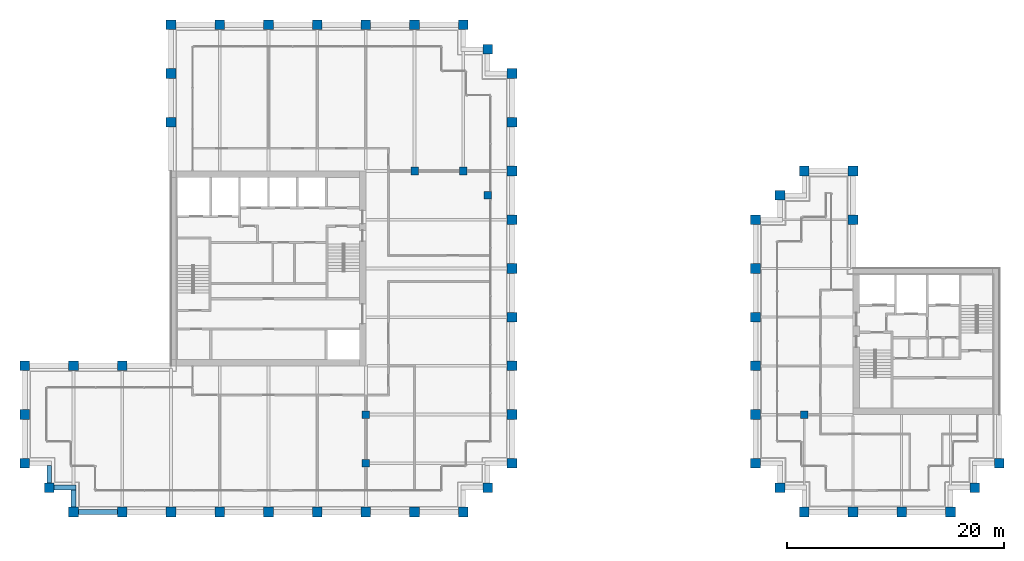
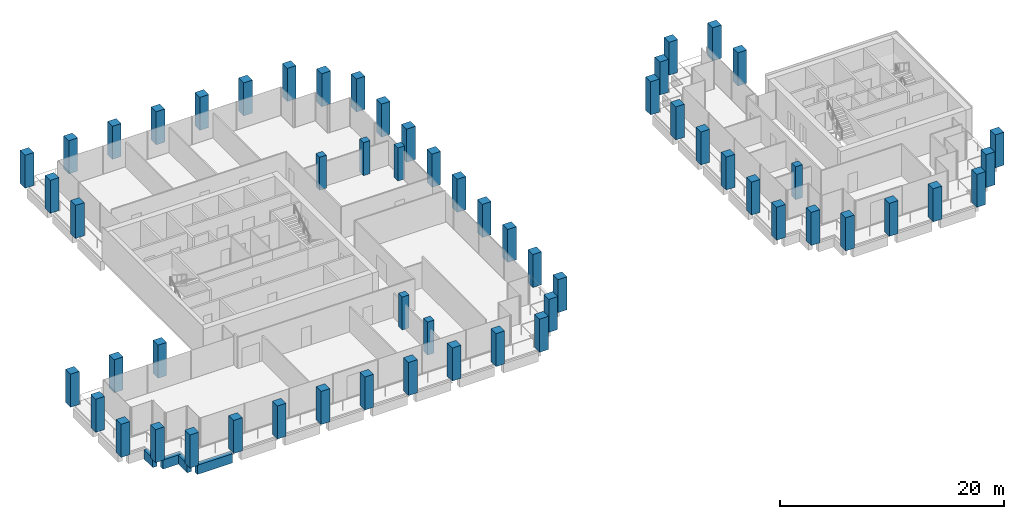
# One storey, part 1 of 40: 58 columns, 4 beams.
"""IFC4 building model written with IfcOpenShell, lengths in metres."""

from ifc_helpers import new_model, si_unit, direction, frame, origin, origin_2d, place, context, subcontext, project, spatial, rectangle, extrude, material, material_profile, profile_set, type_object, element, save


model = new_model("IFC4")

# Units and contexts
model_context = context("Model", 3, precision=1e-05, world=origin(), true_north=direction((0.0, 1.0)))
body_context = subcontext(model_context, "Body", "Model", "MODEL_VIEW")
ifc_project = project(units=[si_unit("LENGTHUNIT", "METRE"), si_unit("AREAUNIT", "SQUARE_METRE"), si_unit("VOLUMEUNIT", "CUBIC_METRE"), si_unit("PLANEANGLEUNIT", "RADIAN"), si_unit("MASSUNIT", "GRAM", prefix="KILO")], contexts=[model_context])

# Site, building, storey
site_placement = place(None, origin())
site = spatial("IfcSite", under=ifc_project, at=site_placement, CompositionType="ELEMENT")
building_placement = place(site_placement, origin())
building = spatial("IfcBuilding", under=site, at=building_placement, Name="Altepetl Exchange Towers", CompositionType="ELEMENT")
storey_placement = place(building_placement, frame((0.0, 0.0, 172.60009765625)))
storey = spatial("IfcBuildingStorey", under=building, at=storey_placement, Name="L43", CompositionType="ELEMENT", Elevation=172.60009765625)

# Columns
ifc_material_1 = material(Name="Concrete C70/85", Category="concrete")
ifc_material_profile_1 = material_profile(ifc_material_1, rectangle(XDim=0.699951171875, YDim=0.699951171875, at=origin_2d()), Name="700 x 700")
ifc_profile_set_1 = profile_set([ifc_material_profile_1], Name="Concrete C70/85")
column_type_1 = type_object("IfcColumnType", Name="Interior column 700", PredefinedType="COLUMN", material=ifc_profile_set_1)
for number, where, name in (
    (1, (58.5, 31.5, 0.0), "col:A:L43:035"),
    (2, (58.5, 36.0, 0.0), "col:A:L43:036"),
    (3, (63.0, 58.5, 0.0), "col:A:L43:037"),
    (4, (67.5, 58.5, 0.0), "col:A:L43:038"),
    (5, (69.75, 56.25, 0.0), "col:A:L43:039"),
    (6, (99.0, 36.0, 0.0), "col:B:L43:017"),
):
    element("IfcColumn", number, at=place(storey_placement, frame(where)), inside=storey, type_object=column_type_1, Name=name, PredefinedType="COLUMN", context=body_context, shape_type="SweptSolid", body=[
        extrude(rectangle(XDim=0.699951171875, YDim=0.699951171875, at=origin_2d()), origin(), (0.0, 0.0, 1.0), 3.599853515625),
    ])
ifc_material_2 = material(Name="Concrete C70/85 precast with cantera amarilla facing", Category="concrete")
ifc_material_profile_2 = material_profile(ifc_material_2, rectangle(XDim=0.89990234375, YDim=0.89990234375, at=origin_2d()), Name="900 x 900")
ifc_profile_set_2 = profile_set([ifc_material_profile_2], Name="Concrete C70/85 precast with cantera amarilla facing")
column_type_2 = type_object("IfcColumnType", Name="Perimeter column 900 cantera amarilla", PredefinedType="COLUMN", material=ifc_profile_set_2)
for number, where, name in (
    (7, (58.5, 27.0, 0.0), "col:A:L43:006"),
    (8, (63.0, 27.0, 0.0), "col:A:L43:007"),
    (9, (67.5, 27.0, 0.0), "col:A:L43:008"),
    (10, (69.75, 29.25, 0.0), "col:A:L43:009"),
    (11, (72.0, 31.5, 0.0), "col:A:L43:010"),
    (12, (72.0, 36.0, 0.0), "col:A:L43:011"),
    (13, (72.0, 40.5, 0.0), "col:A:L43:012"),
    (14, (72.0, 45.0, 0.0), "col:A:L43:013"),
    (15, (72.0, 49.5, 0.0), "col:A:L43:014"),
    (16, (72.0, 54.0, 0.0), "col:A:L43:015"),
):
    element("IfcColumn", number, at=place(storey_placement, frame(where)), inside=storey, type_object=column_type_2, Name=name, PredefinedType="COLUMN", context=body_context, shape_type="SweptSolid", body=[
        extrude(rectangle(XDim=0.89990234375, YDim=0.89990234375, at=origin_2d()), origin(), (0.0, 0.0, 1.0), 3.599853515625),
    ])
ifc_material_3 = material(Name="Concrete C70/85 precast with cantera blanca facing", Category="concrete")
ifc_material_profile_3 = material_profile(ifc_material_3, rectangle(XDim=0.89990234375, YDim=0.89990234375, at=origin_2d()), Name="900 x 900")
ifc_profile_set_3 = profile_set([ifc_material_profile_3], Name="Concrete C70/85 precast with cantera blanca facing")
column_type_3 = type_object("IfcColumnType", Name="Perimeter column 900 cantera blanca", PredefinedType="COLUMN", material=ifc_profile_set_3)
for number, where, name in (
    (17, (31.5, 27.0, 0.0), "col:A:L43:000"),
    (18, (36.0, 27.0, 0.0), "col:A:L43:001"),
    (19, (40.5, 27.0, 0.0), "col:A:L43:002"),
    (20, (45.0, 27.0, 0.0), "col:A:L43:003"),
    (21, (49.5, 27.0, 0.0), "col:A:L43:004"),
    (22, (54.0, 27.0, 0.0), "col:A:L43:005"),
    (23, (27.0, 36.0, 0.0), "col:A:L43:032"),
    (24, (27.0, 31.5, 0.0), "col:A:L43:033"),
    (25, (29.25, 29.25, 0.0), "col:A:L43:034"),
    (26, (117.0, 31.5, 0.0), "col:B:L43:005"),
):
    element("IfcColumn", number, at=place(storey_placement, frame(where)), inside=storey, type_object=column_type_3, Name=name, PredefinedType="COLUMN", context=body_context, shape_type="SweptSolid", body=[
        extrude(rectangle(XDim=0.89990234375, YDim=0.89990234375, at=origin_2d()), origin(), (0.0, 0.0, 1.0), 3.599853515625),
    ])
ifc_material_4 = material(Name="Concrete C70/85 precast with cantera rosa facing", Category="concrete")
ifc_material_profile_4 = material_profile(ifc_material_4, rectangle(XDim=0.89990234375, YDim=0.89990234375, at=origin_2d()), Name="900 x 900")
ifc_profile_set_4 = profile_set([ifc_material_profile_4], Name="Concrete C70/85 precast with cantera rosa facing")
column_type_4 = type_object("IfcColumnType", Name="Perimeter column 900 cantera rosa", PredefinedType="COLUMN", material=ifc_profile_set_4)
for number, where, name in (
    (27, (72.0, 58.5, 0.0), "col:A:L43:016"),
    (28, (72.0, 63.0, 0.0), "col:A:L43:017"),
    (29, (72.0, 67.5, 0.0), "col:A:L43:018"),
    (30, (69.75, 69.75, 0.0), "col:A:L43:019"),
    (31, (67.5, 72.0, 0.0), "col:A:L43:020"),
    (32, (63.0, 72.0, 0.0), "col:A:L43:021"),
    (33, (58.5, 72.0, 0.0), "col:A:L43:022"),
    (34, (54.0, 72.0, 0.0), "col:A:L43:023"),
    (35, (49.5, 72.0, 0.0), "col:A:L43:024"),
    (36, (45.0, 72.0, 0.0), "col:A:L43:025"),
    (37, (103.5, 54.0, 0.0), "col:B:L43:006"),
    (38, (103.5, 58.5, 0.0), "col:B:L43:007"),
    (39, (99.0, 58.5, 0.0), "col:B:L43:008"),
    (40, (96.75, 56.25, 0.0), "col:B:L43:009"),
    (41, (94.5, 54.0, 0.0), "col:B:L43:010"),
    (42, (94.5, 49.5, 0.0), "col:B:L43:011"),
    (43, (94.5, 45.0, 0.0), "col:B:L43:012"),
    (44, (94.5, 40.5, 0.0), "col:B:L43:013"),
    (45, (94.5, 36.0, 0.0), "col:B:L43:014"),
):
    element("IfcColumn", number, at=place(storey_placement, frame(where)), inside=storey, type_object=column_type_4, Name=name, PredefinedType="COLUMN", context=body_context, shape_type="SweptSolid", body=[
        extrude(rectangle(XDim=0.89990234375, YDim=0.89990234375, at=origin_2d()), origin(), (0.0, 0.0, 1.0), 3.599853515625),
    ])
ifc_material_5 = material(Name="Concrete C70/85 precast with tezontle facing", Category="concrete")
ifc_material_profile_5 = material_profile(ifc_material_5, rectangle(XDim=0.89990234375, YDim=0.89990234375, at=origin_2d()), Name="900 x 900")
ifc_profile_set_5 = profile_set([ifc_material_profile_5], Name="Concrete C70/85 precast with tezontle facing")
column_type_5 = type_object("IfcColumnType", Name="Perimeter column 900 tezontle", PredefinedType="COLUMN", material=ifc_profile_set_5)
for number, where, name in (
    (46, (40.5, 72.0, 0.0), "col:A:L43:026"),
    (47, (40.5, 67.5, 0.0), "col:A:L43:027"),
    (48, (40.5, 63.0, 0.0), "col:A:L43:028"),
    (49, (36.0, 40.5, 0.0), "col:A:L43:029"),
    (50, (31.5, 40.5, 0.0), "col:A:L43:030"),
    (51, (27.0, 40.5, 0.0), "col:A:L43:031"),
    (52, (99.0, 27.0, 0.0), "col:B:L43:000"),
    (53, (103.5, 27.0, 0.0), "col:B:L43:001"),
    (54, (108.0, 27.0, 0.0), "col:B:L43:002"),
    (55, (112.5, 27.0, 0.0), "col:B:L43:003"),
    (56, (114.75, 29.25, 0.0), "col:B:L43:004"),
    (57, (94.5, 31.5, 0.0), "col:B:L43:015"),
    (58, (96.75, 29.25, 0.0), "col:B:L43:016"),
):
    element("IfcColumn", number, at=place(storey_placement, frame(where)), inside=storey, type_object=column_type_5, Name=name, PredefinedType="COLUMN", context=body_context, shape_type="SweptSolid", body=[
        extrude(rectangle(XDim=0.89990234375, YDim=0.89990234375, at=origin_2d()), origin(), (0.0, 0.0, 1.0), 3.599853515625),
    ])

# Beams
ifc_material_6 = material(Name="Concrete C50/60 precast with cantera blanca facing", Category="concrete")
ifc_material_profile_6 = material_profile(ifc_material_6, rectangle(XDim=0.449951171875, YDim=1.0, at=origin_2d()), Name="450 x 1000")
ifc_profile_set_6 = profile_set([ifc_material_profile_6], Name="Concrete C50/60 precast with cantera blanca facing")
beam_type = type_object("IfcBeamType", Name="Spandrel beam 450x1000 cantera blanca", PredefinedType="SPANDREL", material=ifc_profile_set_6)
beam_1_placement = place(storey_placement, frame((31.949951171875, 27.0, -0.650146484375), z_axis=(1.0, 0.0, 0.0), x_axis=(0.0, 1.0, 0.0)))
element("IfcBeam", 59, at=beam_1_placement, inside=storey, type_object=beam_type, Name="sp:A:L43:000", PredefinedType="SPANDREL", context=body_context, shape_type="SweptSolid", body=[
    extrude(rectangle(XDim=0.449951171875, YDim=1.0, at=origin_2d()), origin(), (0.0, 0.0, 1.0), 3.60009765625),
])
beam_2_placement = place(storey_placement, frame((29.25, 31.27490234375, -0.650146484375), z_axis=(0.0, -1.0, 0.0), x_axis=(1.0, 0.0, 0.0)))
element("IfcBeam", 60, at=beam_2_placement, inside=storey, type_object=beam_type, Name="sp:A:L43:039", PredefinedType="SPANDREL", context=body_context, shape_type="SweptSolid", body=[
    extrude(rectangle(XDim=0.449951171875, YDim=1.0, at=origin_2d()), origin(), (0.0, 0.0, 1.0), 1.574951171875),
])
beam_3_placement = place(storey_placement, frame((29.699951171875, 29.25, -0.650146484375), z_axis=(1.0, 0.0, 0.0), x_axis=(0.0, 1.0, 0.0)))
element("IfcBeam", 61, at=beam_3_placement, inside=storey, type_object=beam_type, Name="sp:A:L43:040", PredefinedType="SPANDREL", context=body_context, shape_type="SweptSolid", body=[
    extrude(rectangle(XDim=0.449951171875, YDim=1.0, at=origin_2d()), origin(), (0.0, 0.0, 1.0), 2.025146484375),
])
beam_4_placement = place(storey_placement, frame((31.5, 29.02490234375, -0.650146484375), z_axis=(0.0, -1.0, 0.0), x_axis=(1.0, 0.0, 0.0)))
element("IfcBeam", 62, at=beam_4_placement, inside=storey, type_object=beam_type, Name="sp:A:L43:041", PredefinedType="SPANDREL", context=body_context, shape_type="SweptSolid", body=[
    extrude(rectangle(XDim=0.449951171875, YDim=1.0, at=origin_2d()), origin(), (0.0, 0.0, 1.0), 1.574951171875),
])

save(model, "model.ifc")
